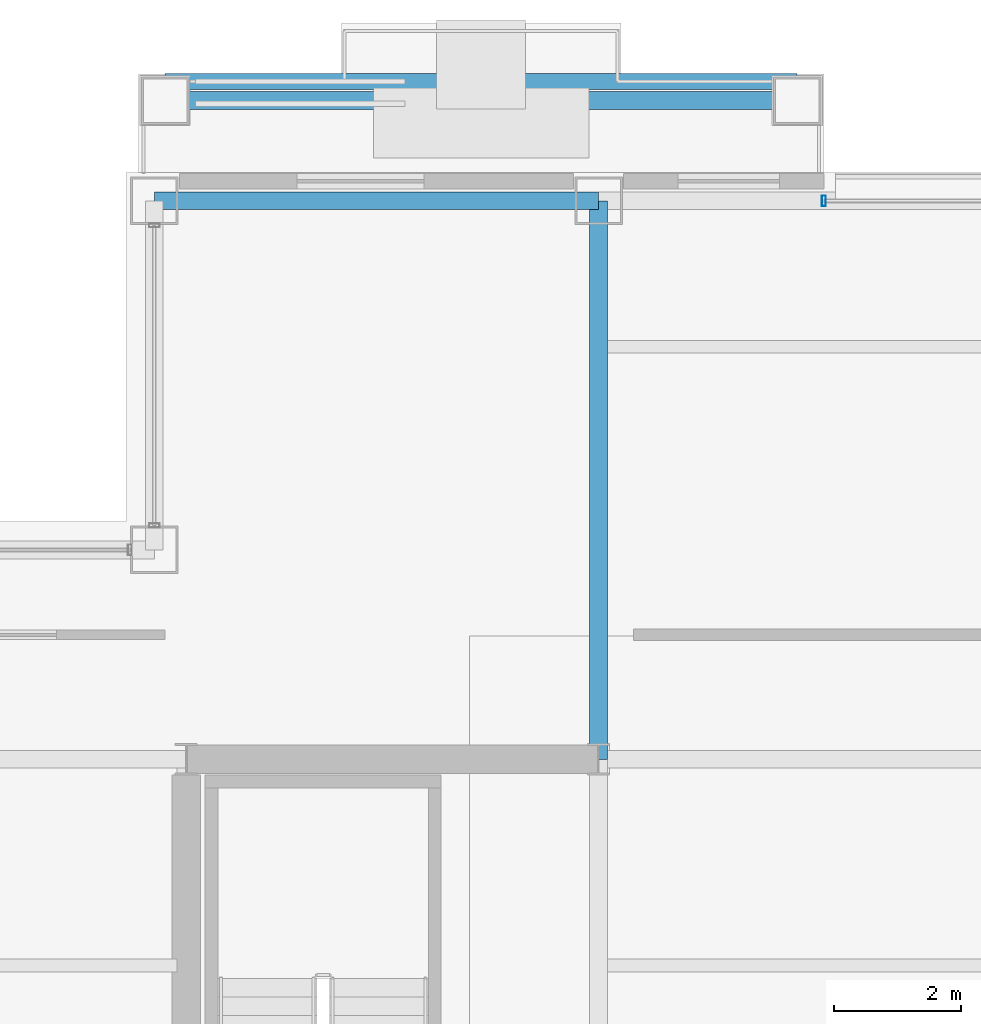
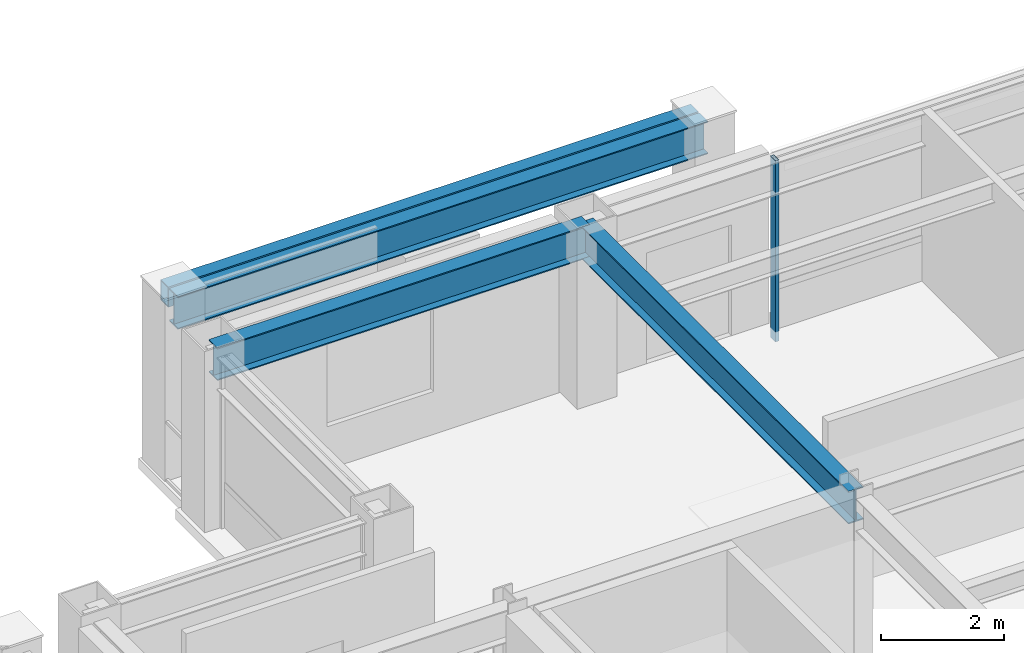
# One storey, part 20 of 31: 3 beams, 2 members, 1 element without a shape of its own.
"""IFC4 building model written with IfcOpenShell, lengths in metres."""

from ifc_helpers import new_model, si_unit, direction, frame, origin, origin_2d, place, context, subcontext, project, spatial, hollow_rectangle, i_section, extrude, material, layer, layer_set, material_profile, profile_set, type_object, element, aggregate, save


model = new_model("IFC4")

# Units and contexts
model_context = context("Model", 3, precision=1e-05, world=origin(), true_north=direction((0.0, 1.0)))
body_context = subcontext(model_context, "Body", "Model", "MODEL_VIEW")
ifc_project = project(units=[si_unit("LENGTHUNIT", "METRE"), si_unit("AREAUNIT", "SQUARE_METRE"), si_unit("VOLUMEUNIT", "CUBIC_METRE"), si_unit("PLANEANGLEUNIT", "RADIAN"), si_unit("MASSUNIT", "GRAM", prefix="KILO")], contexts=[model_context])

# Site, building, storey
site_placement = place(None, origin())
site = spatial("IfcSite", under=ifc_project, at=site_placement, CompositionType="ELEMENT")
building_placement = place(site_placement, origin())
building = spatial("IfcBuilding", under=site, at=building_placement, Name="Brelmoor Portico Tower", CompositionType="ELEMENT")
storey_placement = place(building_placement, frame((0.0, 0.0, 176.699951171875)))
storey = spatial("IfcBuildingStorey", under=building, at=storey_placement, Name="L46", CompositionType="ELEMENT", Elevation=176.699951171875)

# Beams
ifc_material_1 = material(Name="Steel Q355B", Category="steel")
ifc_material_profile_1 = material_profile(ifc_material_1, i_section(OverallWidth=0.280029296875, OverallDepth=0.64990234375, WebThickness=0.012939453125, FlangeThickness=0.02197265625, at=origin_2d()), Name="HN 650x280x13x22")
ifc_profile_set_1 = profile_set([ifc_material_profile_1], Name="Steel Q355B")
beam_type_1 = type_object("IfcBeamType", Name="BM-PG-650", PredefinedType="BEAM", material=ifc_profile_set_1)
beam_1_placement = place(storey_placement, frame((-8.050048828125, 9.75, 3.074951171875), z_axis=(0.0, 1.0, 0.0), x_axis=(-1.0, 0.0, 0.0)))
element("IfcBeam", 1, at=beam_1_placement, inside=storey, type_object=beam_type_1, Name="L46 Primary Floor Girder PG-05", PredefinedType="BEAM", context=body_context, shape_type="SweptSolid", body=[
    extrude(i_section(OverallWidth=0.280029296875, OverallDepth=0.64990234375, WebThickness=0.012939453125, FlangeThickness=0.02197265625, at=origin_2d()), origin(), (0.0, 0.0, 1.0), 8.800048828125),
])
ifc_material_profile_2 = material_profile(ifc_material_1, i_section(OverallWidth=0.280029296875, OverallDepth=0.64990234375, WebThickness=0.012939453125, FlangeThickness=0.02197265625, at=origin_2d()), Name="HN 650x280x13x22")
ifc_profile_set_2 = profile_set([ifc_material_profile_2], Name="Steel Q355B")
beam_type_2 = type_object("IfcBeamType", Name="BM-SP-650", PredefinedType="SPANDREL", material=ifc_profile_set_2)
beam_2_placement = place(storey_placement, frame((-15.050048828125, 18.550048828125, 3.074951171875), z_axis=(1.0, 0.0, 0.0), x_axis=(0.0, 1.0, 0.0)))
element("IfcBeam", 2, at=beam_2_placement, inside=storey, type_object=beam_type_2, Name="L46 Perimeter Spandrel Beam SP-08", PredefinedType="SPANDREL", context=body_context, shape_type="SweptSolid", body=[
    extrude(i_section(OverallWidth=0.280029296875, OverallDepth=0.64990234375, WebThickness=0.012939453125, FlangeThickness=0.02197265625, at=origin_2d()), origin(), (0.0, 0.0, 1.0), 7.0),
])
beam_3_placement = place(storey_placement, frame((-14.8798828125, 20.1298828125, 3.074951171875), z_axis=(1.0, 0.0, 0.0), x_axis=(0.0, 1.0, 0.0)))
element("IfcBeam", 3, at=beam_3_placement, inside=storey, type_object=beam_type_2, Name="L46 Picture-Frame Perimeter Lintel Beam N1", PredefinedType="SPANDREL", context=body_context, shape_type="SweptSolid", body=[
    extrude(i_section(OverallWidth=0.280029296875, OverallDepth=0.64990234375, WebThickness=0.012939453125, FlangeThickness=0.02197265625, at=origin_2d()), origin(), (0.0, 0.0, 1.0), 9.9599609375),
])

# Curtain wall, member
ifc_material_2 = material(Name="Anodised Aluminium Alloy 6063-T6", Category="aluminium")
ifc_layer = layer(ifc_material_2, 0.179931640625)
ifc_layer_set = layer_set([ifc_layer], Name="Anodised Aluminium Alloy 6063-T6")
curtain_wall_type = type_object("IfcCurtainWallType", Name="CW-TOWER-Z3", PredefinedType="NOTDEFINED", material=ifc_layer_set)
curtain_wall_placement = place(storey_placement, origin())
curtain_wall = element("IfcCurtainWall", 4, at=curtain_wall_placement, inside=storey, type_object=curtain_wall_type, Name="L46 Curtain Wall CW-L46-2R-1", PredefinedType="NOTDEFINED")
ifc_material_profile_3 = material_profile(ifc_material_2, hollow_rectangle(XDim=0.06494140625, YDim=0.1650390625, WallThickness=0.00390625, at=origin_2d()), Name="ALU MULLION 65x165")
ifc_profile_set_3 = profile_set([ifc_material_profile_3], Name="Anodised Aluminium Alloy 6063-T6")
member_type_1 = type_object("IfcMemberType", Name="MB-CW-MULL-165", PredefinedType="MULLION", material=ifc_profile_set_3)
member_1_placement = place(storey_placement, frame((-4.5, 18.550048828125, -0.199951171875), z_axis=(0.0, 0.0, 1.0), x_axis=(1.0, 0.0, 0.0)))
member_1 = element("IfcMember", 5, at=member_1_placement, type_object=member_type_1, Name="CW-L46-2R-1 Mullion 00", PredefinedType="MULLION", context=body_context, shape_type="SweptSolid", body=[
    extrude(hollow_rectangle(XDim=0.06494140625, YDim=0.1650390625, WallThickness=0.00390625, at=origin_2d()), origin(), (0.0, 0.0, 1.0), 3.60009765625),
])
aggregate(curtain_wall, [member_1])

# Member
ifc_material_3 = material(Name="Pale Champagne Fluoropolymer-Coated Steel Q355B", Category="steel")
ifc_material_profile_4 = material_profile(ifc_material_3, hollow_rectangle(XDim=0.25, YDim=0.39990234375, WallThickness=0.013916015625, at=origin_2d()), Name="RHS 250x400x14")
ifc_profile_set_4 = profile_set([ifc_material_profile_4], Name="Pale Champagne Fluoropolymer-Coated Steel Q355B")
member_type_2 = type_object("IfcMemberType", Name="MB-PF-HEADER", PredefinedType="MEMBER", material=ifc_profile_set_4)
member_2_placement = place(storey_placement, frame((-14.8798828125, 20.429931640625, 3.199951171875), z_axis=(1.0, 0.0, 0.0), x_axis=(0.0, 1.0, 0.0)))
element("IfcMember", 6, at=member_2_placement, inside=storey, type_object=member_type_2, Name="L46 Picture-Frame Header N", PredefinedType="MEMBER", context=body_context, shape_type="SweptSolid", body=[
    extrude(hollow_rectangle(XDim=0.25, YDim=0.39990234375, WallThickness=0.013916015625, at=origin_2d()), origin(), (0.0, 0.0, 1.0), 9.9599609375),
])

save(model, "model.ifc")
